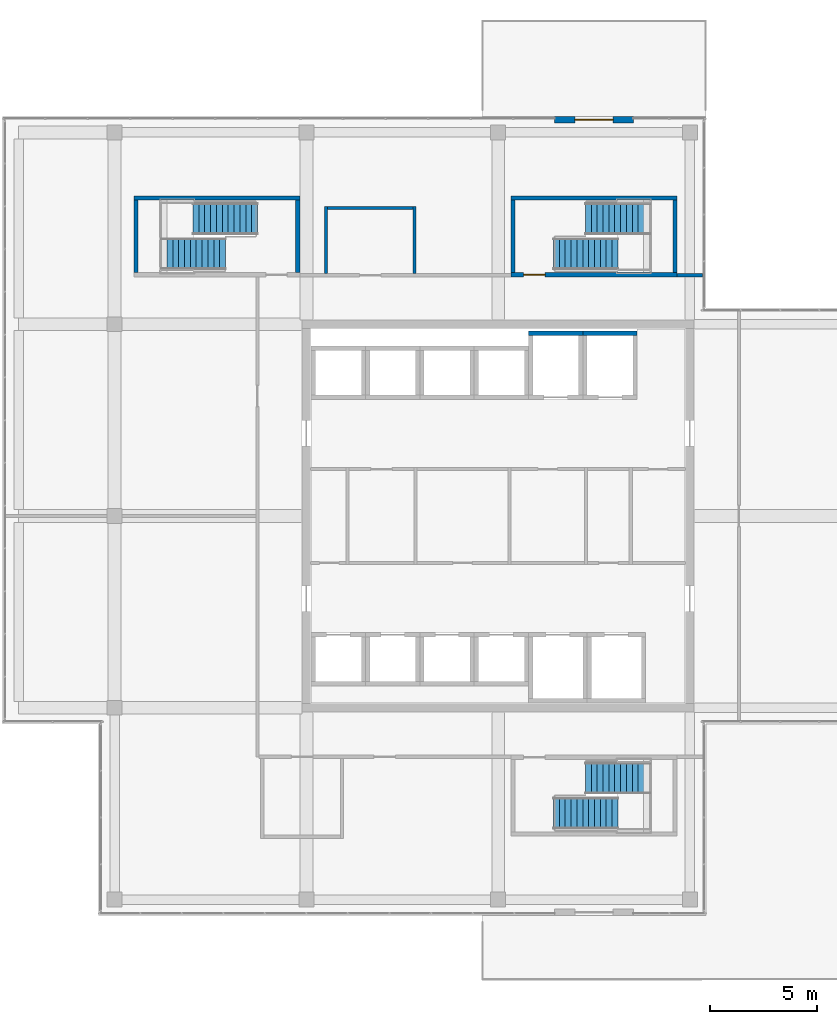
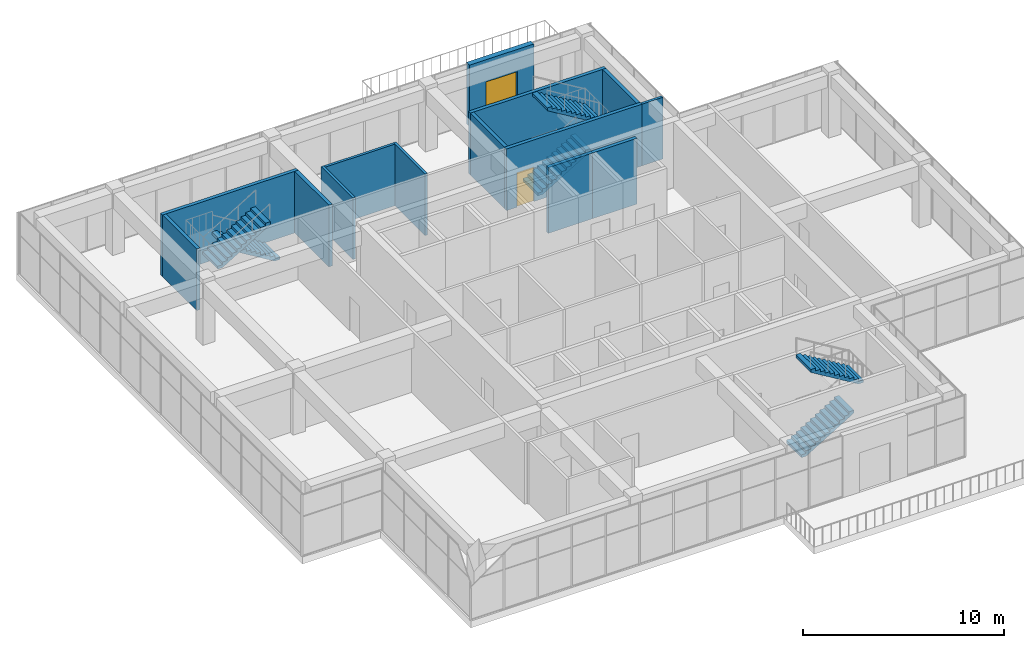
# One storey, part 46 of 49: 14 walls, 6 stair flights, 2 doors, 2 openings, 3 elements without a shape of their own.
"""IFC4 building model written with IfcOpenShell, lengths in metres."""

import ifcopenshell
import ifcopenshell.guid

model = None  # the IFC model being written
_history = None  # IfcOwnerHistory: only IFC2X3 demands one
_inside = {}  # id of a spatial element -> (the spatial element, [elements in it])
_under = {}  # id of a project, library or spatial element -> (it, [spatial elements below it])
_declared = {}  # id of a project -> (the project, [libraries it declares])
_typed = {}  # id of a type object -> (the type object, [elements of that type])
_made_of = {}  # id of a material, layer set ... -> (it, [elements and type objects made of it])


def new_model(schema):
    """Start an empty IFC model of exactly this schema.

    Asked for "IFC4X3", IfcOpenShell would pick the latest addendum, in which some entities
    have other attributes; the version numbers below select the first issue.
    IFC2X3 requires an IfcOwnerHistory on every rooted entity: one is made here for all.
    """
    global model, _history
    if schema == "IFC4X3":
        model = ifcopenshell.file(schema_version=(4, 3, 0, 0))
    else:
        model = ifcopenshell.file(schema=schema)
    _inside.clear()
    _under.clear()
    _declared.clear()
    _typed.clear()
    _made_of.clear()
    _history = None
    if model.schema == "IFC2X3":
        org = make("IfcOrganization", Name="unknown")
        user = make(
            "IfcPersonAndOrganization",
            ThePerson=make("IfcPerson", FamilyName="unknown"),
            TheOrganization=org,
        )
        app = make(
            "IfcApplication",
            ApplicationDeveloper=org,
            Version="unknown",
            ApplicationFullName="unknown",
            ApplicationIdentifier="unknown",
        )
        _history = make(
            "IfcOwnerHistory",
            OwningUser=user,
            OwningApplication=app,
            ChangeAction="ADDED",
            CreationDate=0,
        )
    return model


def make(cls, **values):
    """One entity of the class cls with the attributes given. An attribute that is None is left unset."""
    return model.create_entity(
        cls, **{name: value for name, value in values.items() if value is not None}
    )


def rooted(cls, **values):
    """An entity with a GlobalId (a new one), such as an element, a storey or a relation."""
    return make(cls, GlobalId=ifcopenshell.guid.new(), OwnerHistory=_history, **values)


def si_unit(unit_type, name, prefix=None):
    """IfcSIUnit, for example si_unit("LENGTHUNIT", "METRE", prefix="MILLI")."""
    return make("IfcSIUnit", UnitType=unit_type, Prefix=prefix, Name=name)


def assignment(units):
    """IfcUnitAssignment: the units of a project."""
    return None if units is None else make("IfcUnitAssignment", Units=units)


def point(xyz):
    """IfcCartesianPoint."""
    return None if xyz is None else make("IfcCartesianPoint", Coordinates=xyz)


def direction(xyz):
    """IfcDirection."""
    return None if xyz is None else make("IfcDirection", DirectionRatios=xyz)


def frame(location, z_axis=None, x_axis=None):
    """IfcAxis2Placement3D, a coordinate frame: its origin and axes. An axis left out is left unset."""
    return make(
        "IfcAxis2Placement3D",
        Location=point(location),
        Axis=direction(z_axis),
        RefDirection=direction(x_axis),
    )


def frame_2d(location, x_axis=None):
    """IfcAxis2Placement2D, a coordinate frame in the plane: its origin and x axis."""
    return make(
        "IfcAxis2Placement2D", Location=point(location), RefDirection=direction(x_axis)
    )


def origin():
    """The frame at (0, 0, 0) with its axes left unset."""
    return frame((0.0, 0.0, 0.0))


def place(relative_to, where):
    """IfcLocalPlacement: puts the frame where relative to a parent placement (None: the world)."""
    return make(
        "IfcLocalPlacement", PlacementRelTo=relative_to, RelativePlacement=where
    )


def context(
    kind, dimensions, precision=None, world=None, true_north=None, identifier=None
):
    """IfcGeometricRepresentationContext, for example the 3D "Model" context."""
    return make(
        "IfcGeometricRepresentationContext",
        ContextIdentifier=identifier,
        ContextType=kind,
        CoordinateSpaceDimension=dimensions,
        Precision=precision,
        WorldCoordinateSystem=world,
        TrueNorth=true_north,
    )


def subcontext(parent, identifier, kind, view, scale=None):
    """IfcGeometricRepresentationSubContext, for example "Body" below "Model"."""
    return make(
        "IfcGeometricRepresentationSubContext",
        ContextIdentifier=identifier,
        ContextType=kind,
        ParentContext=parent,
        TargetScale=scale,
        TargetView=view,
    )


def project(units=None, contexts=None):
    """IfcProject with its units and contexts."""
    return rooted(
        "IfcProject",
        Name="project",
        RepresentationContexts=contexts,
        UnitsInContext=assignment(units),
    )


def spatial(cls, under=None, at=None, **own):
    """A site, building, storey or space (cls), placed at a placement, below another one or the project."""
    s = rooted(cls, ObjectPlacement=at, **own)
    if under is not None:
        _under.setdefault(under.id(), (under, []))[1].append(s)
    return s


def polyline(points):
    """IfcPolyline through the points."""
    return make("IfcPolyline", Points=[point(p) for p in points])


def profile(cls, at=None, kind="AREA", **sizes):
    """A parametric profile (cls). Its sizes go by their IFC names, for example OverallWidth=200.0."""
    return make(cls, ProfileType=kind, Position=at, **sizes)


def rectangle(**sizes):
    """IfcRectangleProfileDef."""
    return profile("IfcRectangleProfileDef", **sizes)


def outline(outer, holes=None, kind="AREA"):
    """IfcArbitraryClosedProfileDef: a profile drawn as a closed curve; with holes, ...WithVoids."""
    if holes is None:
        return make("IfcArbitraryClosedProfileDef", ProfileType=kind, OuterCurve=outer)
    return make(
        "IfcArbitraryProfileDefWithVoids",
        ProfileType=kind,
        OuterCurve=outer,
        InnerCurves=holes,
    )


def extrude(swept, where, along, depth):
    """IfcExtrudedAreaSolid: the profile swept, set in the frame where, extruded along a direction by depth."""
    return make(
        "IfcExtrudedAreaSolid",
        SweptArea=swept,
        Position=where,
        ExtrudedDirection=direction(along),
        Depth=depth,
    )


def shape(context_of_items, identifier, shape_type, items):
    """IfcShapeRepresentation: the items that make up one representation, for example the "Body"."""
    return make(
        "IfcShapeRepresentation",
        ContextOfItems=context_of_items,
        RepresentationIdentifier=identifier,
        RepresentationType=shape_type,
        Items=items,
    )


def material(Name=None, Category=None):
    """IfcMaterial."""
    return make("IfcMaterial", Name=Name, Category=Category)


def layer(
    of_material, thickness, ventilated=None, Name=None, Category=None, Priority=None
):
    """IfcMaterialLayer: one layer of a wall or slab, of a material (None: an air gap)."""
    return make(
        "IfcMaterialLayer",
        Material=of_material,
        LayerThickness=thickness,
        IsVentilated=ventilated,
        Name=Name,
        Category=Category,
        Priority=Priority,
    )


def layer_set(layers, Name=None):
    """IfcMaterialLayerSet."""
    return make("IfcMaterialLayerSet", MaterialLayers=layers, LayerSetName=Name)


def made_of(thing, what):
    """Note that an element or type object is made of a material, layer set ...; save() writes the relation."""
    if what is not None:
        _made_of.setdefault(what.id(), (what, []))[1].append(thing)
    return thing


def type_object(cls, material=None, **own):
    """A type object (cls), such as IfcWallType, which elements share."""
    return made_of(rooted(cls, **own), material)


def element(
    cls,
    number,
    at=None,
    inside=None,
    cuts=None,
    type_object=None,
    material=None,
    context=None,
    identifier="Body",
    shape_type=None,
    held_by="IfcProductDefinitionShape",
    body=None,
    shapes=None,
    **own,
):
    """One element of the class cls, such as IfcWall. Its Tag is "e" and its number.

    at: its placement. inside: the storey or other place that contains it. cuts: it is an
    opening in that element (IfcRelVoidsElement). A single representation is given by context,
    identifier, shape_type and body (its items); several are given by shapes. held_by: the class
    of the entity that holds the representations. save() writes the other relations.
    """
    e = rooted(cls, Tag="e%d" % number, ObjectPlacement=at, **own)
    if body is not None:
        shapes = [shape(context, identifier, shape_type, body)]
    if shapes is not None:
        e.Representation = make(held_by, Representations=shapes)
    if inside is not None:
        _inside.setdefault(inside.id(), (inside, []))[1].append(e)
    if cuts is not None:
        rooted(
            "IfcRelVoidsElement", RelatingBuildingElement=cuts, RelatedOpeningElement=e
        )
    if type_object is not None:
        _typed.setdefault(type_object.id(), (type_object, []))[1].append(e)
    return made_of(e, material)


def fill(opening, filler):
    """IfcRelFillsElement: the door or window that sits in an opening."""
    return rooted(
        "IfcRelFillsElement",
        RelatingOpeningElement=opening,
        RelatedBuildingElement=filler,
    )


def aggregate(whole, parts):
    """IfcRelAggregates: a whole, such as a stair, and the parts it consists of."""
    return rooted("IfcRelAggregates", RelatingObject=whole, RelatedObjects=parts)


def save(model, path):
    """Write the relations noted so far, then the file.

    IfcRelAggregates (storeys below a building ...), IfcRelContainedInSpatialStructure (elements
    in a storey), IfcRelDefinesByType, IfcRelAssociatesMaterial and IfcRelDeclares: one each for
    every whole, place, type object, material and project.
    """
    for whole, parts in _under.values():
        aggregate(whole, parts)
    for where, things in _inside.values():
        rooted(
            "IfcRelContainedInSpatialStructure",
            RelatedElements=things,
            RelatingStructure=where,
        )
    for kind, things in _typed.values():
        rooted("IfcRelDefinesByType", RelatedObjects=things, RelatingType=kind)
    for what, things in _made_of.values():
        rooted("IfcRelAssociatesMaterial", RelatedObjects=things, RelatingMaterial=what)
    for by, libraries in _declared.values():
        rooted("IfcRelDeclares", RelatingContext=by, RelatedDefinitions=libraries)
    model.write(path)


model = new_model("IFC4")

# Units and contexts
model_context = context("Model", 3, precision=1e-05, world=origin(), true_north=direction((0.0, 1.0)))
body_context = subcontext(model_context, "Body", "Model", "MODEL_VIEW")
ifc_project = project(units=[si_unit("LENGTHUNIT", "METRE"), si_unit("AREAUNIT", "SQUARE_METRE"), si_unit("VOLUMEUNIT", "CUBIC_METRE"), si_unit("PLANEANGLEUNIT", "RADIAN"), si_unit("MASSUNIT", "GRAM", prefix="KILO")], contexts=[model_context])

# Site, building, storey
site_placement = place(None, origin())
site = spatial("IfcSite", under=ifc_project, at=site_placement, CompositionType="ELEMENT")
building_placement = place(site_placement, origin())
building = spatial("IfcBuilding", under=site, at=building_placement, Name="Tuart Plaza Theatre", CompositionType="ELEMENT")
storey_placement = place(building_placement, frame((0.0, 0.0, 29.5)))
storey = spatial("IfcBuildingStorey", under=building, at=storey_placement, Name="L07", CompositionType="ELEMENT", Elevation=29.5)

# Walls
ifc_material_1 = material(Name="Masonry block", Category="masonry")
ifc_layer_1 = layer(ifc_material_1, 0.14990234375)
ifc_layer_set_1 = layer_set([ifc_layer_1], Name="PARTITION BLK150 MASONRYB FRL 120/-/-")
wall_type_1 = type_object("IfcWallType", Name="PARTITION BLK150 MASONRYB FRL 120/-/-", PredefinedType="PARTITIONING", material=ifc_layer_set_1)
wall_1_placement = place(storey_placement, frame((140.39990234375, 85.300048828125, 0.0), z_axis=(0.0, 0.0, 1.0), x_axis=(1.0, 0.0, 0.0)))
element("IfcWall", 1, at=wall_1_placement, inside=storey, type_object=wall_type_1, Name="P658", PredefinedType="PARTITIONING", context=body_context, shape_type="SweptSolid", body=[
    extrude(rectangle(XDim=1.2001953125, YDim=0.14990234375, at=frame_2d((0.60009765625, 0.0))), origin(), (0.0, 0.0, 1.0), 3.75),
])
wall_2_placement = place(storey_placement, frame((124.0, 88.449951171875, 0.0), z_axis=(0.0, 0.0, 1.0), x_axis=(1.0, 0.0, 0.0)))
element("IfcWall", 2, at=wall_2_placement, inside=storey, type_object=wall_type_1, Name="P663", PredefinedType="PARTITIONING", context=body_context, shape_type="SweptSolid", body=[
    extrude(rectangle(XDim=4.0, YDim=0.14990234375, at=frame_2d((2.0, 0.0))), origin(), (0.0, 0.0, 1.0), 3.75),
])
for number, where, z_axis, x_axis, name in (
    (3, (123.925048828125, 85.375, 0.0), (0.0, 0.0, 1.0), (0.0, 1.0, 0.0), "P664"),
    (4, (128.074951171875, 85.375, 0.0), (0.0, 0.0, 1.0), (0.0, 1.0, 0.0), "P665"),
):
    element("IfcWall", number, at=place(storey_placement, frame(where, z_axis=z_axis, x_axis=x_axis)), inside=storey, type_object=wall_type_1, Name=name, PredefinedType="PARTITIONING", context=body_context, shape_type="SweptSolid", body=[
        extrude(rectangle(XDim=3.14990234375, YDim=0.14990234375, at=frame_2d((1.574951171875, 0.0))), origin(), (0.0, 0.0, 1.0), 3.75),
    ])
ifc_material_2 = material(Name="Concrete N40 (40 MPa)", Category="concrete")
ifc_layer_2 = layer(ifc_material_2, 0.199951171875)
ifc_layer_set_2 = layer_set([ifc_layer_2], Name="SHEAR WALL RC200 FRL 120/120/120")
wall_type_2 = type_object("IfcWallType", Name="SHEAR WALL RC200 FRL 120/120/120", PredefinedType="SHEAR", material=ifc_layer_set_2)
wall_3_placement = place(storey_placement, frame((135.97509765625, 82.574951171875, 0.0), z_axis=(0.0, 0.0, 1.0), x_axis=(-1.0, 0.0, 0.0)))
element("IfcWall", 5, at=wall_3_placement, inside=storey, type_object=wall_type_2, Name="W1196", PredefinedType="SHEAR", context=body_context, shape_type="SweptSolid", body=[
    extrude(rectangle(XDim=2.550048828125, YDim=0.199951171875, at=frame_2d((1.27490234375, 0.0))), origin(), (0.0, 0.0, 1.0), 4.0),
])
wall_4_placement = place(storey_placement, frame((138.52490234375, 82.574951171875, 0.0), z_axis=(0.0, 0.0, 1.0), x_axis=(-1.0, 0.0, 0.0)))
element("IfcWall", 6, at=wall_4_placement, inside=storey, type_object=wall_type_2, Name="W1272", PredefinedType="SHEAR", context=body_context, shape_type="SweptSolid", body=[
    extrude(rectangle(XDim=2.5498046875, YDim=0.199951171875, at=frame_2d((1.27490234375, 0.0))), origin(), (0.0, 0.0, 1.0), 4.0),
])

# Wall, opening, door
wall_5_placement = place(storey_placement, frame((132.60009765625, 85.324951171875, 0.0), z_axis=(0.0, 0.0, 1.0), x_axis=(1.0, 0.0, 0.0)))
wall_5 = element("IfcWall", 7, at=wall_5_placement, inside=storey, type_object=wall_type_2, Name="P432", PredefinedType="SHEAR", context=body_context, shape_type="SweptSolid", body=[
    extrude(rectangle(XDim=7.7998046875, YDim=0.199951171875, at=frame_2d((3.89990234375, 0.0))), origin(), (0.0, 0.0, 1.0), 3.75),
])
opening_1_placement = place(wall_5_placement, frame((0.60009765625, 0.0, 0.0)))
opening_1 = element("IfcOpeningElement", 8, at=opening_1_placement, cuts=wall_5, Name="Opening L07-012", PredefinedType="OPENING", context=body_context, shape_type="SweptSolid", body=[
    extrude(rectangle(XDim=1.0, YDim=2.10009765625, at=frame_2d((0.5, 1.050048828125))), frame((0.0, 0.10986328125, 0.0), z_axis=(0.0, -1.0, 0.0), x_axis=(1.0, 0.0, 0.0)), (0.0, 0.0, 1.0), 0.219970703125),
])
ifc_material_3 = material(Name="Steel Grade 300", Category="steel")
door_type_1 = type_object("IfcDoorType", Name="DOOR 1000x2100 steel single swing FRL -/120/30", OperationType="SINGLE_SWING_LEFT", PredefinedType="DOOR", material=ifc_material_3)
door_1_placement = place(opening_1_placement, origin())
door_1 = element("IfcDoor", 9, at=door_1_placement, inside=storey, type_object=door_type_1, Name="L07-012", OperationType="SINGLE_SWING_RIGHT", OverallHeight=2.10009765625, OverallWidth=1.0, PredefinedType="DOOR", context=body_context, shape_type="SweptSolid", body=[
    extrude(rectangle(XDim=1.0, YDim=2.10009765625, at=frame_2d((0.5, 1.050048828125))), frame((0.0, 0.02490234375, 0.0), z_axis=(0.0, -1.0, 0.0), x_axis=(1.0, 0.0, 0.0)), (0.0, 0.0, 1.0), 0.050048828125),
])
fill(opening_1, door_1)

# Walls
wall_6_placement = place(storey_placement, frame((140.300048828125, 85.425048828125, 0.0), z_axis=(0.0, 0.0, 1.0), x_axis=(0.0, 1.0, 0.0)))
element("IfcWall", 10, at=wall_6_placement, inside=storey, type_object=wall_type_2, Name="P433", PredefinedType="SHEAR", context=body_context, shape_type="SweptSolid", body=[
    extrude(rectangle(XDim=3.39990234375, YDim=0.199951171875, at=frame_2d((1.699951171875, 0.0))), origin(), (0.0, 0.0, 1.0), 3.75),
])
wall_7_placement = place(storey_placement, frame((140.39990234375, 88.925048828125, 0.0), z_axis=(0.0, 0.0, 1.0), x_axis=(-1.0, 0.0, 0.0)))
element("IfcWall", 11, at=wall_7_placement, inside=storey, type_object=wall_type_2, Name="P434", PredefinedType="SHEAR", context=body_context, shape_type="SweptSolid", body=[
    extrude(rectangle(XDim=7.7998046875, YDim=0.199951171875, at=frame_2d((3.89990234375, 0.0))), origin(), (0.0, 0.0, 1.0), 3.75),
])
for number, where, z_axis, x_axis, name in (
    (12, (132.699951171875, 88.824951171875, 0.0), (0.0, 0.0, 1.0), (0.0, -1.0, 0.0), "P435"),
    (13, (122.60009765625, 85.425048828125, 0.0), (0.0, 0.0, 1.0), (0.0, 1.0, 0.0), "P461"),
):
    element("IfcWall", number, at=place(storey_placement, frame(where, z_axis=z_axis, x_axis=x_axis)), inside=storey, type_object=wall_type_2, Name=name, PredefinedType="SHEAR", context=body_context, shape_type="SweptSolid", body=[
        extrude(rectangle(XDim=3.39990234375, YDim=0.199951171875, at=frame_2d((1.699951171875, 0.0))), origin(), (0.0, 0.0, 1.0), 3.75),
    ])
wall_8_placement = place(storey_placement, frame((122.699951171875, 88.925048828125, 0.0), z_axis=(0.0, 0.0, 1.0), x_axis=(-1.0, 0.0, 0.0)))
element("IfcWall", 14, at=wall_8_placement, inside=storey, type_object=wall_type_2, Name="P462", PredefinedType="SHEAR", context=body_context, shape_type="SweptSolid", body=[
    extrude(rectangle(XDim=7.800048828125, YDim=0.199951171875, at=frame_2d((3.89990234375, 0.0))), origin(), (0.0, 0.0, 1.0), 3.75),
])
wall_9_placement = place(storey_placement, frame((115.0, 88.824951171875, 0.0), z_axis=(0.0, 0.0, 1.0), x_axis=(0.0, -1.0, 0.0)))
element("IfcWall", 15, at=wall_9_placement, inside=storey, type_object=wall_type_2, Name="P463", PredefinedType="SHEAR", context=body_context, shape_type="SweptSolid", body=[
    extrude(rectangle(XDim=3.39990234375, YDim=0.199951171875, at=frame_2d((1.699951171875, 0.0))), origin(), (0.0, 0.0, 1.0), 3.75),
])

# Wall, opening, door
ifc_material_4 = material(Name="Concrete N40 (40 MPa)", Category="concrete")
ifc_layer_3 = layer(ifc_material_4, 0.300048828125)
ifc_layer_set_3 = layer_set([ifc_layer_3], Name="WALL RC300 EXT clad")
wall_type_3 = type_object("IfcWallType", Name="WALL RC300 EXT clad", PredefinedType="SOLIDWALL", material=ifc_layer_set_3)
wall_10_placement = place(storey_placement, frame((138.35009765625, 92.60009765625, 0.0), z_axis=(0.0, 0.0, 1.0), x_axis=(-1.0, 0.0, 0.0)))
wall_10 = element("IfcWall", 16, at=wall_10_placement, inside=storey, type_object=wall_type_3, Name="P128", PredefinedType="SOLIDWALL", context=body_context, shape_type="SweptSolid", body=[
    extrude(rectangle(XDim=3.7001953125, YDim=0.300048828125, at=frame_2d((1.85009765625, 0.0))), origin(), (0.0, 0.0, 1.0), 3.75),
])
opening_2_placement = place(wall_10_placement, frame((0.949951171875, 0.0, 0.0)))
opening_2 = element("IfcOpeningElement", 17, at=opening_2_placement, cuts=wall_10, Name="Opening L07-002", PredefinedType="OPENING", context=body_context, shape_type="SweptSolid", body=[
    extrude(rectangle(XDim=1.800048828125, YDim=2.39990234375, at=frame_2d((0.89990234375, 1.199951171875))), frame((0.0, 0.159912109375, 0.0), z_axis=(0.0, -1.0, 0.0), x_axis=(1.0, 0.0, 0.0)), (0.0, 0.0, 1.0), 0.320068359375),
])
ifc_material_5 = material(Name="Aluminium", Category="aluminium")
door_type_2 = type_object("IfcDoorType", Name="DOOR 1800x2400 aluminium double swing glazed", OperationType="DOUBLE_DOOR_SINGLE_SWING", PredefinedType="DOOR", material=ifc_material_5)
door_2_placement = place(opening_2_placement, frame((1.800048828125, 0.0, 0.0), z_axis=(0.0, 0.0, 1.0), x_axis=(-1.0, 0.0, 0.0)))
door_2 = element("IfcDoor", 18, at=door_2_placement, inside=storey, type_object=door_type_2, Name="L07-002", OperationType="DOUBLE_DOOR_SINGLE_SWING", OverallHeight=2.39990234375, OverallWidth=1.800048828125, PredefinedType="DOOR", context=body_context, shape_type="SweptSolid", body=[
    extrude(rectangle(XDim=1.800048828125, YDim=2.39990234375, at=frame_2d((0.89990234375, 1.199951171875))), frame((0.0, 0.02490234375, 0.0), z_axis=(0.0, -1.0, 0.0), x_axis=(1.0, 0.0, 0.0)), (0.0, 0.0, 1.0), 0.050048828125),
])
fill(opening_2, door_2)

# Stair, stair flights
ifc_material_6 = material(Name="Concrete N40 (40 MPa)", Category="concrete")
stair_type = type_object("IfcStairType", Name="STAIR half turn 1500", PredefinedType="HALF_TURN_STAIR", material=ifc_material_6)
stair_1_placement = place(storey_placement, origin())
stair_1 = element("IfcStair", 19, at=stair_1_placement, inside=storey, type_object=stair_type, Name="SC-4", PredefinedType="HALF_TURN_STAIR")
ifc_material_7 = material(Name="Concrete N40 (40 MPa)", Category="concrete")
stair_flight_type = type_object("IfcStairFlightType", Name="STAIR FLIGHT 166.7 275 1500", PredefinedType="STRAIGHT", material=ifc_material_7)
stair_flight_1_placement = place(storey_placement, frame((134.594970703125, 60.050048828125, 0.0), z_axis=(0.0, 0.0, 1.0), x_axis=(1.0, 0.0, 0.0)))
stair_flight_1 = element("IfcStairFlight", 20, at=stair_flight_1_placement, type_object=stair_flight_type, Name="SC-4 flight 1", NumberOfRisers=12, NumberOfTreads=11, PredefinedType="STRAIGHT", RiserHeight=0.166666667, TreadLength=0.275, context=body_context, shape_type="SweptSolid", body=[
    extrude(outline(polyline([(0.0, 0.0), (0.0, 0.166748046875), (0.27490234375, 0.166748046875), (0.27490234375, 0.333251953125), (0.550048828125, 0.333251953125), (0.550048828125, 0.5), (0.824951171875, 0.5), (0.824951171875, 0.666748046875), (1.10009765625, 0.666748046875), (1.10009765625, 0.833251953125), (1.375, 0.833251953125), (1.375, 1.0), (1.64990234375, 1.0), (1.64990234375, 1.166748046875), (1.925048828125, 1.166748046875), (1.925048828125, 1.333251953125), (2.199951171875, 1.333251953125), (2.199951171875, 1.5), (2.47509765625, 1.5), (2.47509765625, 1.666748046875), (2.75, 1.666748046875), (2.75, 1.833251953125), (3.02490234375, 1.833251953125), (3.02490234375, 2.0), (3.02490234375, 1.657958984375), (0.289306640625, 0.0), (0.0, 0.0)])), frame((0.0, 0.75, 0.0), z_axis=(0.0, -1.0, 0.0), x_axis=(1.0, 0.0, 0.0)), (0.0, 0.0, 1.0), 1.5),
])
stair_flight_2_placement = place(storey_placement, frame((139.1201171875, 61.699951171875, 2.0), z_axis=(0.0, 0.0, 1.0), x_axis=(-1.0, 0.0, 0.0)))
stair_flight_2 = element("IfcStairFlight", 21, at=stair_flight_2_placement, type_object=stair_flight_type, Name="SC-4 flight 2", NumberOfRisers=12, NumberOfTreads=11, PredefinedType="STRAIGHT", RiserHeight=0.166666667, TreadLength=0.275, context=body_context, shape_type="SweptSolid", body=[
    extrude(outline(polyline([(0.0, 0.0), (0.0, 0.166748046875), (0.27490234375, 0.166748046875), (0.27490234375, 0.333251953125), (0.550048828125, 0.333251953125), (0.550048828125, 0.5), (0.824951171875, 0.5), (0.824951171875, 0.666748046875), (1.10009765625, 0.666748046875), (1.10009765625, 0.833251953125), (1.375, 0.833251953125), (1.375, 1.0), (1.64990234375, 1.0), (1.64990234375, 1.166748046875), (1.925048828125, 1.166748046875), (1.925048828125, 1.333251953125), (2.199951171875, 1.333251953125), (2.199951171875, 1.5), (2.47509765625, 1.5), (2.47509765625, 1.666748046875), (2.75, 1.666748046875), (2.75, 1.833251953125), (3.02490234375, 1.833251953125), (3.02490234375, 2.0), (3.02490234375, 1.657958984375), (0.289306640625, 0.0), (0.0, 0.0)])), frame((0.0, 0.75, 0.0), z_axis=(0.0, -1.0, 0.0), x_axis=(1.0, 0.0, 0.0)), (0.0, 0.0, 1.0), 1.5),
])
aggregate(stair_1, [stair_flight_1, stair_flight_2])

stair_2_placement = place(storey_placement, origin())
stair_2 = element("IfcStair", 22, at=stair_2_placement, inside=storey, type_object=stair_type, Name="SC-10", PredefinedType="HALF_TURN_STAIR")
stair_flight_3_placement = place(storey_placement, frame((134.594970703125, 86.300048828125, 0.0), z_axis=(0.0, 0.0, 1.0), x_axis=(1.0, 0.0, 0.0)))
stair_flight_3 = element("IfcStairFlight", 23, at=stair_flight_3_placement, type_object=stair_flight_type, Name="SC-10 flight 1", NumberOfRisers=12, NumberOfTreads=11, PredefinedType="STRAIGHT", RiserHeight=0.166666667, TreadLength=0.275, context=body_context, shape_type="SweptSolid", body=[
    extrude(outline(polyline([(0.0, 0.0), (0.0, 0.166748046875), (0.27490234375, 0.166748046875), (0.27490234375, 0.333251953125), (0.550048828125, 0.333251953125), (0.550048828125, 0.5), (0.824951171875, 0.5), (0.824951171875, 0.666748046875), (1.10009765625, 0.666748046875), (1.10009765625, 0.833251953125), (1.375, 0.833251953125), (1.375, 1.0), (1.64990234375, 1.0), (1.64990234375, 1.166748046875), (1.925048828125, 1.166748046875), (1.925048828125, 1.333251953125), (2.199951171875, 1.333251953125), (2.199951171875, 1.5), (2.47509765625, 1.5), (2.47509765625, 1.666748046875), (2.75, 1.666748046875), (2.75, 1.833251953125), (3.02490234375, 1.833251953125), (3.02490234375, 2.0), (3.02490234375, 1.657958984375), (0.289306640625, 0.0), (0.0, 0.0)])), frame((0.0, 0.75, 0.0), z_axis=(0.0, -1.0, 0.0), x_axis=(1.0, 0.0, 0.0)), (0.0, 0.0, 1.0), 1.5),
])
stair_flight_4_placement = place(storey_placement, frame((139.1201171875, 87.949951171875, 2.0), z_axis=(0.0, 0.0, 1.0), x_axis=(-1.0, 0.0, 0.0)))
stair_flight_4 = element("IfcStairFlight", 24, at=stair_flight_4_placement, type_object=stair_flight_type, Name="SC-10 flight 2", NumberOfRisers=12, NumberOfTreads=11, PredefinedType="STRAIGHT", RiserHeight=0.166666667, TreadLength=0.275, context=body_context, shape_type="SweptSolid", body=[
    extrude(outline(polyline([(0.0, 0.0), (0.0, 0.166748046875), (0.27490234375, 0.166748046875), (0.27490234375, 0.333251953125), (0.550048828125, 0.333251953125), (0.550048828125, 0.5), (0.824951171875, 0.5), (0.824951171875, 0.666748046875), (1.10009765625, 0.666748046875), (1.10009765625, 0.833251953125), (1.375, 0.833251953125), (1.375, 1.0), (1.64990234375, 1.0), (1.64990234375, 1.166748046875), (1.925048828125, 1.166748046875), (1.925048828125, 1.333251953125), (2.199951171875, 1.333251953125), (2.199951171875, 1.5), (2.47509765625, 1.5), (2.47509765625, 1.666748046875), (2.75, 1.666748046875), (2.75, 1.833251953125), (3.02490234375, 1.833251953125), (3.02490234375, 2.0), (3.02490234375, 1.657958984375), (0.289306640625, 0.0), (0.0, 0.0)])), frame((0.0, 0.75, 0.0), z_axis=(0.0, -1.0, 0.0), x_axis=(1.0, 0.0, 0.0)), (0.0, 0.0, 1.0), 1.5),
])
aggregate(stair_2, [stair_flight_3, stair_flight_4])

stair_3_placement = place(storey_placement, origin())
stair_3 = element("IfcStair", 25, at=stair_3_placement, inside=storey, type_object=stair_type, Name="SC-16", PredefinedType="HALF_TURN_STAIR")
stair_flight_5_placement = place(storey_placement, frame((120.705078125, 87.949951171875, 0.0), z_axis=(0.0, 0.0, 1.0), x_axis=(-1.0, 0.0, 0.0)))
stair_flight_5 = element("IfcStairFlight", 26, at=stair_flight_5_placement, type_object=stair_flight_type, Name="SC-16 flight 1", NumberOfRisers=12, NumberOfTreads=11, PredefinedType="STRAIGHT", RiserHeight=0.166666667, TreadLength=0.275, context=body_context, shape_type="SweptSolid", body=[
    extrude(outline(polyline([(0.0, 0.0), (0.0, 0.166748046875), (0.27490234375, 0.166748046875), (0.27490234375, 0.333251953125), (0.550048828125, 0.333251953125), (0.550048828125, 0.5), (0.824951171875, 0.5), (0.824951171875, 0.666748046875), (1.10009765625, 0.666748046875), (1.10009765625, 0.833251953125), (1.375, 0.833251953125), (1.375, 1.0), (1.64990234375, 1.0), (1.64990234375, 1.166748046875), (1.925048828125, 1.166748046875), (1.925048828125, 1.333251953125), (2.199951171875, 1.333251953125), (2.199951171875, 1.5), (2.47509765625, 1.5), (2.47509765625, 1.666748046875), (2.75, 1.666748046875), (2.75, 1.833251953125), (3.02490234375, 1.833251953125), (3.02490234375, 2.0), (3.02490234375, 1.657958984375), (0.289306640625, 0.0), (0.0, 0.0)])), frame((0.0, 0.75, 0.0), z_axis=(0.0, -1.0, 0.0), x_axis=(1.0, 0.0, 0.0)), (0.0, 0.0, 1.0), 1.5),
])
stair_flight_6_placement = place(storey_placement, frame((116.179931640625, 86.300048828125, 2.0), z_axis=(0.0, 0.0, 1.0), x_axis=(1.0, 0.0, 0.0)))
stair_flight_6 = element("IfcStairFlight", 27, at=stair_flight_6_placement, type_object=stair_flight_type, Name="SC-16 flight 2", NumberOfRisers=12, NumberOfTreads=11, PredefinedType="STRAIGHT", RiserHeight=0.166666667, TreadLength=0.275, context=body_context, shape_type="SweptSolid", body=[
    extrude(outline(polyline([(0.0, 0.0), (0.0, 0.166748046875), (0.27490234375, 0.166748046875), (0.27490234375, 0.333251953125), (0.550048828125, 0.333251953125), (0.550048828125, 0.5), (0.824951171875, 0.5), (0.824951171875, 0.666748046875), (1.10009765625, 0.666748046875), (1.10009765625, 0.833251953125), (1.375, 0.833251953125), (1.375, 1.0), (1.64990234375, 1.0), (1.64990234375, 1.166748046875), (1.925048828125, 1.166748046875), (1.925048828125, 1.333251953125), (2.199951171875, 1.333251953125), (2.199951171875, 1.5), (2.47509765625, 1.5), (2.47509765625, 1.666748046875), (2.75, 1.666748046875), (2.75, 1.833251953125), (3.02490234375, 1.833251953125), (3.02490234375, 2.0), (3.02490234375, 1.657958984375), (0.289306640625, 0.0), (0.0, 0.0)])), frame((0.0, 0.75, 0.0), z_axis=(0.0, -1.0, 0.0), x_axis=(1.0, 0.0, 0.0)), (0.0, 0.0, 1.0), 1.5),
])
aggregate(stair_3, [stair_flight_5, stair_flight_6])

save(model, "model.ifc")
